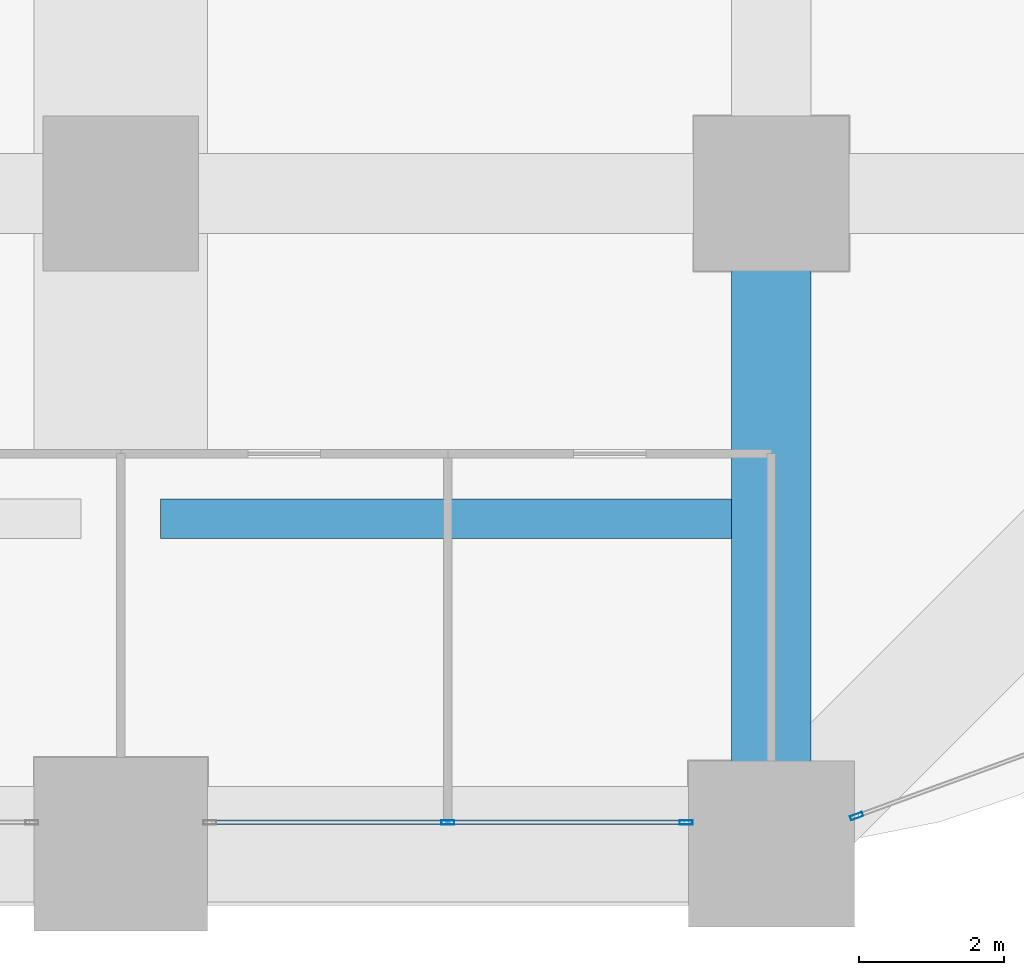
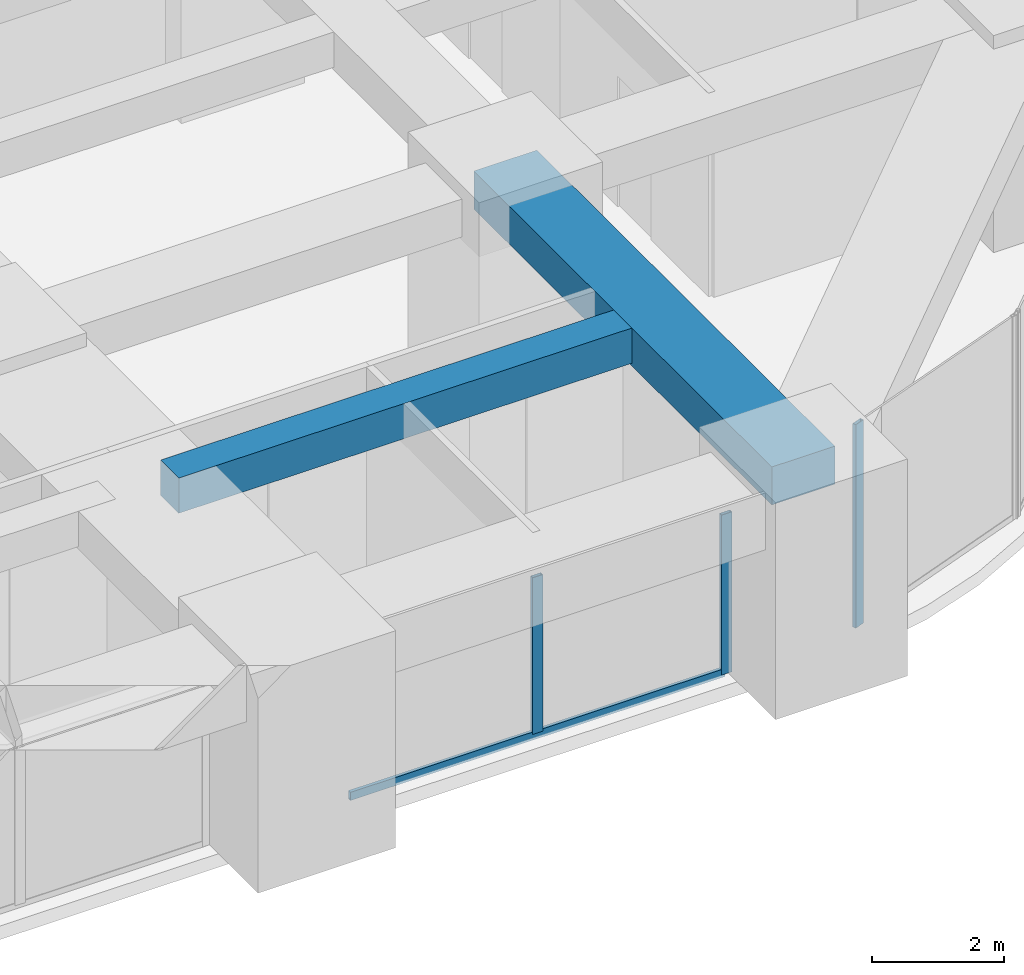
# One storey, part 15 of 45: 4 members, 2 beams, 2 elements without a shape of their own.
"""IFC4 building model written with IfcOpenShell, lengths in metres."""

from ifc_helpers import new_model, si_unit, direction, frame, origin, origin_2d, place, context, subcontext, project, spatial, rectangle, hollow_rectangle, extrude, material, material_profile, profile_set, type_object, element, aggregate, save


model = new_model("IFC4")

# Units and contexts
model_context = context("Model", 3, precision=1e-05, world=origin(), true_north=direction((0.0, 1.0)))
body_context = subcontext(model_context, "Body", "Model", "MODEL_VIEW")
ifc_project = project(units=[si_unit("LENGTHUNIT", "METRE"), si_unit("AREAUNIT", "SQUARE_METRE"), si_unit("VOLUMEUNIT", "CUBIC_METRE"), si_unit("PLANEANGLEUNIT", "RADIAN"), si_unit("MASSUNIT", "GRAM", prefix="KILO")], contexts=[model_context])

# Site, building, storey
site_placement = place(None, origin())
site = spatial("IfcSite", under=ifc_project, at=site_placement, CompositionType="ELEMENT")
building_placement = place(site_placement, origin())
building = spatial("IfcBuilding", under=site, at=building_placement, Name="Zorevar Civic Tower", CompositionType="ELEMENT")
storey_placement = place(building_placement, frame((0.0, 0.0, 71.800048828125)))
storey = spatial("IfcBuildingStorey", under=building, at=storey_placement, Name="L17", CompositionType="ELEMENT", Elevation=71.800048828125)

# Beams
ifc_material_1 = material(Name="Concrete C50/60", Category="concrete")
ifc_material_profile_1 = material_profile(ifc_material_1, rectangle(XDim=1.10009765625, YDim=0.699951171875, at=origin_2d()), Name="RC 1100x700")
ifc_profile_set_1 = profile_set([ifc_material_profile_1], Name="Concrete C50/60")
beam_type_1 = type_object("IfcBeamType", Name="Beam RC 1100x700", PredefinedType="BEAM", material=ifc_profile_set_1)
beam_1_placement = place(storey_placement, frame((54.0, 0.0, 3.39990234375), z_axis=(0.0, 1.0, 0.0), x_axis=(-1.0, 0.0, 0.0)))
element("IfcBeam", 1, at=beam_1_placement, inside=storey, type_object=beam_type_1, Name="Girder L18", PredefinedType="BEAM", context=body_context, shape_type="SweptSolid", body=[
    extrude(rectangle(XDim=1.10009765625, YDim=0.699951171875, at=origin_2d()), origin(), (0.0, 0.0, 1.0), 9.0),
])
ifc_material_2 = material(Name="Concrete C50/60", Category="concrete")
ifc_material_profile_2 = material_profile(ifc_material_2, rectangle(XDim=0.550048828125, YDim=0.64990234375, at=origin_2d()), Name="RC 550x650")
ifc_profile_set_2 = profile_set([ifc_material_profile_2], Name="Concrete C50/60")
beam_type_2 = type_object("IfcBeamType", Name="Beam RC 550x650", PredefinedType="BEAM", material=ifc_profile_set_2)
beam_2_placement = place(storey_placement, frame((45.550048828125, 4.5, 3.425048828125), z_axis=(1.0, 0.0, 0.0), x_axis=(0.0, 1.0, 0.0)))
element("IfcBeam", 2, at=beam_2_placement, inside=storey, type_object=beam_type_2, Name="Secondary beam L18", PredefinedType="BEAM", context=body_context, shape_type="SweptSolid", body=[
    extrude(rectangle(XDim=0.550048828125, YDim=0.64990234375, at=origin_2d()), origin(), (0.0, 0.0, 1.0), 7.89990234375),
])

# Curtain wall, members
ifc_material_3 = material(Name="Dark grey solar-control glass in black aluminium frame", Category="aluminium")
curtain_wall_type = type_object("IfcCurtainWallType", Name="Curtain wall CW2 low zone", PredefinedType="NOTDEFINED", material=ifc_material_3)
curtain_wall_1_placement = place(storey_placement, origin())
curtain_wall_1 = element("IfcCurtainWall", 3, at=curtain_wall_1_placement, inside=storey, type_object=curtain_wall_type, Name="CW2 L17", PredefinedType="NOTDEFINED")
ifc_material_4 = material(Name="Aluminium, black anodised", Category="aluminium")
ifc_material_profile_3 = material_profile(ifc_material_4, hollow_rectangle(XDim=0.06005859375, YDim=0.179931640625, WallThickness=0.00390625, at=origin_2d()), Name="AL 180x60x4")
ifc_profile_set_3 = profile_set([ifc_material_profile_3], Name="Aluminium, black anodised")
member_type_1 = type_object("IfcMemberType", Name="CW2 mullion AL 180x60x4", PredefinedType="MULLION", material=ifc_profile_set_3)
member_1_placement = place(storey_placement, frame((49.52490234375, 0.300048828125, 0.06005859375), z_axis=(0.0, 0.0, 1.0), x_axis=(0.0, 1.0, 0.0)))
member_1 = element("IfcMember", 4, at=member_1_placement, type_object=member_type_1, Name="CW2 mullion 2", PredefinedType="MULLION", context=body_context, shape_type="SweptSolid", body=[
    extrude(hollow_rectangle(XDim=0.06005859375, YDim=0.179931640625, WallThickness=0.00390625, at=origin_2d()), origin(), (0.0, 0.0, 1.0), 2.889892578125),
])
member_2_placement = place(storey_placement, frame((52.820068359375, 0.300048828125, 0.0), z_axis=(0.0, 0.0, 1.0), x_axis=(0.0, 1.0, 0.0)))
member_2 = element("IfcMember", 5, at=member_2_placement, type_object=member_type_1, Name="CW2 mullion 3", PredefinedType="MULLION", context=body_context, shape_type="SweptSolid", body=[
    extrude(hollow_rectangle(XDim=0.06005859375, YDim=0.179931640625, WallThickness=0.00390625, at=origin_2d()), origin(), (0.0, 0.0, 1.0), 2.949951171875),
])

# Curtain wall, member
curtain_wall_2_placement = place(storey_placement, origin())
curtain_wall_2 = element("IfcCurtainWall", 6, at=curtain_wall_2_placement, inside=storey, type_object=curtain_wall_type, Name="CW2 L17", PredefinedType="NOTDEFINED")
member_3_placement = place(storey_placement, frame((55.17822265625, 0.38671875, 0.0), z_axis=(0.0, 0.0, 1.0), x_axis=(-0.343060400701, 0.939313345732, 0.0)))
member_3 = element("IfcMember", 7, at=member_3_placement, type_object=member_type_1, Name="CW2 mullion 1", PredefinedType="MULLION", context=body_context, shape_type="SweptSolid", body=[
    extrude(hollow_rectangle(XDim=0.06005859375, YDim=0.179931640625, WallThickness=0.00390625, at=origin_2d()), origin(), (0.0, 0.0, 1.0), 3.75),
])
aggregate(curtain_wall_2, [member_3])

# Member
ifc_material_5 = material(Name="Aluminium, black anodised", Category="aluminium")
ifc_material_profile_4 = material_profile(ifc_material_5, hollow_rectangle(XDim=0.06005859375, YDim=0.14990234375, WallThickness=0.00390625, at=origin_2d()), Name="AL 150x60x4")
ifc_profile_set_4 = profile_set([ifc_material_profile_4], Name="Aluminium, black anodised")
member_type_2 = type_object("IfcMemberType", Name="CW2 transom AL 150x60x4", PredefinedType="USERDEFINED", material=ifc_profile_set_4)
member_4_placement = place(storey_placement, frame((46.260009765625, 0.300048828125, 0.030029296875), z_axis=(1.0, 0.0, 0.0), x_axis=(0.0, 1.0, 0.0)))
member_4 = element("IfcMember", 8, at=member_4_placement, type_object=member_type_2, Name="CW2 sill transom", ObjectType="TRANSOM", PredefinedType="USERDEFINED", context=body_context, shape_type="SweptSolid", body=[
    extrude(hollow_rectangle(XDim=0.06005859375, YDim=0.14990234375, WallThickness=0.00390625, at=origin_2d()), origin(), (0.0, 0.0, 1.0), 6.530029296875),
])

aggregate(curtain_wall_1, [member_1, member_2, member_4])

save(model, "model.ifc")
